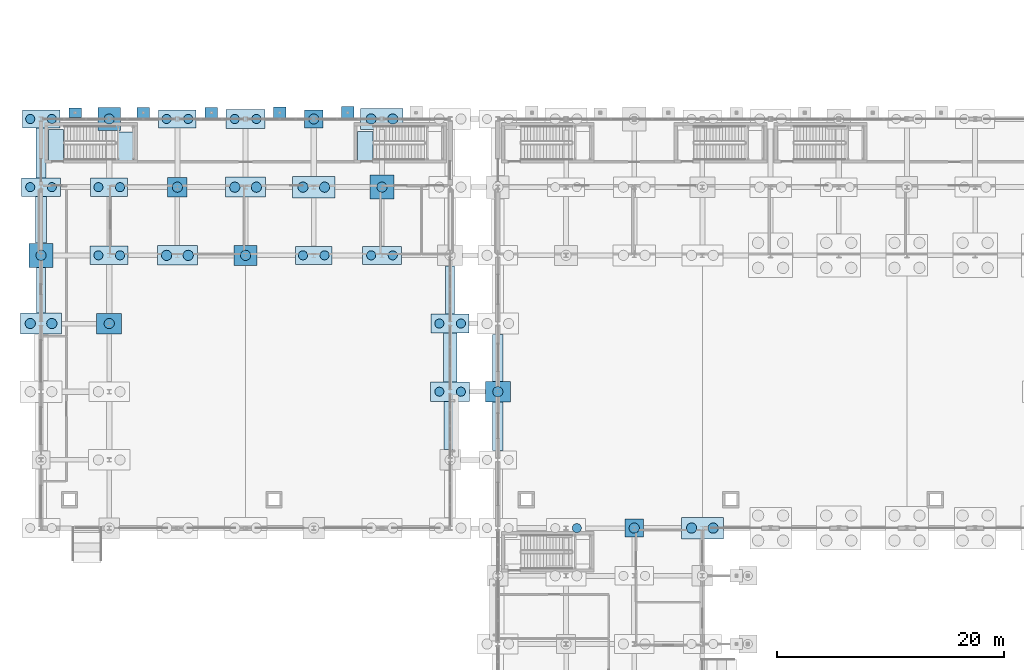
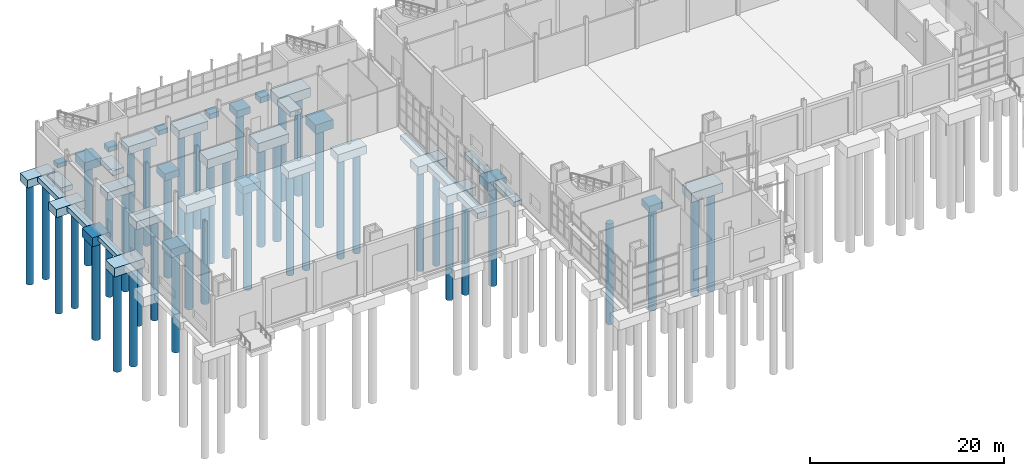
# One storey, part 2 of 120: 42 piles, 41 footings.
"""IFC4 building model written with IfcOpenShell, lengths in metres."""

from ifc_helpers import new_model, si_unit, direction, frame, origin, origin_2d, place, context, subcontext, project, spatial, rectangle, circle, extrude, material, material_profile, profile_set, type_object, element, save


model = new_model("IFC4")

# Units and contexts
model_context = context("Model", 3, precision=1e-05, world=origin(), true_north=direction((0.0, 1.0)))
body_context = subcontext(model_context, "Body", "Model", "MODEL_VIEW")
ifc_project = project(units=[si_unit("LENGTHUNIT", "METRE"), si_unit("AREAUNIT", "SQUARE_METRE"), si_unit("VOLUMEUNIT", "CUBIC_METRE"), si_unit("PLANEANGLEUNIT", "RADIAN"), si_unit("MASSUNIT", "GRAM", prefix="KILO")], contexts=[model_context])

# Site, building, storey
site_placement = place(None, origin())
site = spatial("IfcSite", under=ifc_project, at=site_placement, CompositionType="ELEMENT")
building_placement = place(site_placement, origin())
building = spatial("IfcBuilding", under=site, at=building_placement, Name="Siltcreek Boulevard Central Fire Station", CompositionType="ELEMENT")
storey_placement = place(building_placement, origin())
storey = spatial("IfcBuildingStorey", under=building, at=storey_placement, Name="L01", CompositionType="ELEMENT", Elevation=0.0)

# Footings
ifc_material = material(Name="Concrete C35/45", Category="concrete")
footing_type_1 = type_object("IfcFootingType", Name="PC_160X160X084", PredefinedType="PILE_CAP", material=ifc_material)
for number, where, z_axis, x_axis, name in (
    (1, (54.0, 18.0, -1.25), (0.0, 0.0, 1.0), (1.0, 0.0, 0.0), "Reinforced concrete pile cap PC-021"),
    (2, (25.800048828125, 54.0, -1.25), (0.0, 0.0, 1.0), (1.0, 0.0, 0.0), "Reinforced concrete pile cap PC-117"),
):
    element("IfcFooting", number, at=place(storey_placement, frame(where, z_axis=z_axis, x_axis=x_axis)), inside=storey, type_object=footing_type_1, Name=name, PredefinedType="PILE_CAP", context=body_context, shape_type="SweptSolid", body=[
        extrude(rectangle(XDim=1.60009765625, YDim=1.60009765625, at=origin_2d()), origin(), (0.0, 0.0, 1.0), 0.840087890625),
    ])
footing_type_2 = type_object("IfcFootingType", Name="PC_170X170X088", PredefinedType="PILE_CAP", material=ifc_material)
footing_1_placement = place(storey_placement, frame((13.800048828125, 48.0, -1.2900390625), z_axis=(0.0, 0.0, 1.0), x_axis=(1.0, 0.0, 0.0)))
element("IfcFooting", 3, at=footing_1_placement, inside=storey, type_object=footing_type_2, Name="Reinforced concrete pile cap PC-108", PredefinedType="PILE_CAP", context=body_context, shape_type="SweptSolid", body=[
    extrude(rectangle(XDim=1.699951171875, YDim=1.699951171875, at=origin_2d()), origin(), (0.0, 0.0, 1.0), 0.8798828125),
])
footing_type_3 = type_object("IfcFootingType", Name="PC_200X200X106", PredefinedType="PILE_CAP", material=ifc_material)
footing_2_placement = place(storey_placement, frame((7.800048828125, 54.0, -1.469970703125), z_axis=(0.0, 0.0, 1.0), x_axis=(1.0, 0.0, 0.0)))
element("IfcFooting", 4, at=footing_2_placement, inside=storey, type_object=footing_type_3, Name="Reinforced concrete pile cap PC-105", PredefinedType="PILE_CAP", context=body_context, shape_type="SweptSolid", body=[
    extrude(rectangle(XDim=2.0, YDim=2.0, at=origin_2d()), origin(), (0.0, 0.0, 1.0), 1.06005859375),
])
footing_type_4 = type_object("IfcFootingType", Name="PC_205X175X098", PredefinedType="PILE_CAP", material=ifc_material)
footing_3_placement = place(storey_placement, frame((19.800048828125, 42.0, -1.389892578125), z_axis=(0.0, 0.0, 1.0), x_axis=(1.0, 0.0, 0.0)))
element("IfcFooting", 5, at=footing_3_placement, inside=storey, type_object=footing_type_4, Name="Reinforced concrete pile cap PC-111", PredefinedType="PILE_CAP", context=body_context, shape_type="SweptSolid", body=[
    extrude(rectangle(XDim=2.050048828125, YDim=1.75, at=origin_2d()), origin(), (0.0, 0.0, 1.0), 0.97998046875),
])
footing_type_5 = type_object("IfcFootingType", Name="PC_210X210X112", PredefinedType="PILE_CAP", material=ifc_material)
for number, where, z_axis, x_axis, name in (
    (6, (1.800048828125, 42.0, -1.530029296875), (0.0, 0.0, 1.0), (1.0, 0.0, 0.0), "Reinforced concrete pile cap PC-096"),
    (7, (31.800048828125, 48.0, -1.530029296875), (0.0, 0.0, 1.0), (1.0, 0.0, 0.0), "Reinforced concrete pile cap PC-120"),
):
    element("IfcFooting", number, at=place(storey_placement, frame(where, z_axis=z_axis, x_axis=x_axis)), inside=storey, type_object=footing_type_5, Name=name, PredefinedType="PILE_CAP", context=body_context, shape_type="SweptSolid", body=[
        extrude(rectangle(XDim=2.10009765625, YDim=2.10009765625, at=origin_2d()), origin(), (0.0, 0.0, 1.0), 1.1201171875),
    ])
footing_type_6 = type_object("IfcFootingType", Name="PC_220X180X104", PredefinedType="PILE_CAP", material=ifc_material)
for number, where, z_axis, x_axis, name in (
    (8, (42.0, 30.0, -1.449951171875), (0.0, 0.0, 1.0), (1.0, 0.0, 0.0), "Reinforced concrete pile cap PC-006"),
    (9, (7.800048828125, 36.0, -1.449951171875), (0.0, 0.0, 1.0), (1.0, 0.0, 0.0), "Reinforced concrete pile cap PC-102"),
):
    element("IfcFooting", number, at=place(storey_placement, frame(where, z_axis=z_axis, x_axis=x_axis)), inside=storey, type_object=footing_type_6, Name=name, PredefinedType="PILE_CAP", context=body_context, shape_type="SweptSolid", body=[
        extrude(rectangle(XDim=2.199951171875, YDim=1.800048828125, at=origin_2d()), origin(), (0.0, 0.0, 1.0), 1.0400390625),
    ])
footing_type_7 = type_object("IfcFootingType", Name="PC_325X160X096", PredefinedType="PILE_CAP", material=ifc_material)
for number, where, z_axis, x_axis, name in (
    (10, (7.800048828125, 48.0, -1.369873046875), (0.0, 0.0, 1.0), (1.0, 0.0, 0.0), "Reinforced concrete pile cap PC-104"),
    (11, (25.800048828125, 42.0, -1.369873046875), (0.0, 0.0, 1.0), (1.0, 0.0, 0.0), "Reinforced concrete pile cap PC-115"),
):
    element("IfcFooting", number, at=place(storey_placement, frame(where, z_axis=z_axis, x_axis=x_axis)), inside=storey, type_object=footing_type_7, Name=name, PredefinedType="PILE_CAP", context=body_context, shape_type="SweptSolid", body=[
        extrude(rectangle(XDim=3.25, YDim=1.60009765625, at=origin_2d()), origin(), (0.0, 0.0, 1.0), 0.9599609375),
    ])
footing_type_8 = type_object("IfcFootingType", Name="PC_330X155X098", PredefinedType="PILE_CAP", material=ifc_material)
for number, where, z_axis, x_axis, name in (
    (12, (1.800048828125, 54.0, -1.389892578125), (0.0, 0.0, 1.0), (1.0, 0.0, 0.0), "Reinforced concrete pile cap PC-098"),
    (13, (13.800048828125, 54.0, -1.389892578125), (0.0, 0.0, 1.0), (1.0, 0.0, 0.0), "Reinforced concrete pile cap PC-109"),
):
    element("IfcFooting", number, at=place(storey_placement, frame(where, z_axis=z_axis, x_axis=x_axis)), inside=storey, type_object=footing_type_8, Name=name, PredefinedType="PILE_CAP", context=body_context, shape_type="SweptSolid", body=[
        extrude(rectangle(XDim=3.300048828125, YDim=1.550048828125, at=origin_2d()), origin(), (0.0, 0.0, 1.0), 0.97998046875),
    ])
footing_type_9 = type_object("IfcFootingType", Name="PC_335X165X100", PredefinedType="PILE_CAP", material=ifc_material)
for number, where, z_axis, x_axis, name in (
    (14, (7.800048828125, 42.0, -1.409912109375), (0.0, 0.0, 1.0), (1.0, 0.0, 0.0), "Reinforced concrete pile cap PC-103"),
    (15, (37.800048828125, 36.0, -1.409912109375), (0.0, 0.0, 1.0), (1.0, 0.0, 0.0), "Reinforced concrete pile cap PC-125"),
):
    element("IfcFooting", number, at=place(storey_placement, frame(where, z_axis=z_axis, x_axis=x_axis)), inside=storey, type_object=footing_type_9, Name=name, PredefinedType="PILE_CAP", context=body_context, shape_type="SweptSolid", body=[
        extrude(rectangle(XDim=3.35009765625, YDim=1.64990234375, at=origin_2d()), origin(), (0.0, 0.0, 1.0), 1.0),
    ])
footing_type_10 = type_object("IfcFootingType", Name="PC_340X160X102", PredefinedType="PILE_CAP", material=ifc_material)
for number, where, z_axis, x_axis, name in (
    (16, (1.800048828125, 48.0, -1.429931640625), (0.0, 0.0, 1.0), (1.0, 0.0, 0.0), "Reinforced concrete pile cap PC-097"),
    (17, (31.800048828125, 42.0, -1.429931640625), (0.0, 0.0, 1.0), (1.0, 0.0, 0.0), "Reinforced concrete pile cap PC-119"),
):
    element("IfcFooting", number, at=place(storey_placement, frame(where, z_axis=z_axis, x_axis=x_axis)), inside=storey, type_object=footing_type_10, Name=name, PredefinedType="PILE_CAP", context=body_context, shape_type="SweptSolid", body=[
        extrude(rectangle(XDim=3.39990234375, YDim=1.60009765625, at=origin_2d()), origin(), (0.0, 0.0, 1.0), 1.02001953125),
    ])
footing_type_11 = type_object("IfcFootingType", Name="PC_345X170X104", PredefinedType="PILE_CAP", material=ifc_material)
for number, where, z_axis, x_axis, name in (
    (18, (19.800048828125, 54.0, -1.449951171875), (0.0, 0.0, 1.0), (1.0, 0.0, 0.0), "Reinforced concrete pile cap PC-113"),
    (19, (37.800048828125, 30.0, -1.449951171875), (0.0, 0.0, 1.0), (1.0, 0.0, 0.0), "Reinforced concrete pile cap PC-124"),
):
    element("IfcFooting", number, at=place(storey_placement, frame(where, z_axis=z_axis, x_axis=x_axis)), inside=storey, type_object=footing_type_11, Name=name, PredefinedType="PILE_CAP", context=body_context, shape_type="SweptSolid", body=[
        extrude(rectangle(XDim=3.449951171875, YDim=1.699951171875, at=origin_2d()), origin(), (0.0, 0.0, 1.0), 1.0400390625),
    ])
footing_type_12 = type_object("IfcFootingType", Name="PC_350X170X106", PredefinedType="PILE_CAP", material=ifc_material)
footing_4_placement = place(storey_placement, frame((13.800048828125, 42.0, -1.469970703125), z_axis=(0.0, 0.0, 1.0), x_axis=(1.0, 0.0, 0.0)))
element("IfcFooting", 20, at=footing_4_placement, inside=storey, type_object=footing_type_12, Name="Reinforced concrete pile cap PC-107", PredefinedType="PILE_CAP", context=body_context, shape_type="SweptSolid", body=[
    extrude(rectangle(XDim=3.5, YDim=1.699951171875, at=origin_2d()), origin(), (0.0, 0.0, 1.0), 1.06005859375),
])
footing_type_13 = type_object("IfcFootingType", Name="PC_355X175X108", PredefinedType="PILE_CAP", material=ifc_material)
footing_5_placement = place(storey_placement, frame((19.800048828125, 48.0, -1.489990234375), z_axis=(0.0, 0.0, 1.0), x_axis=(1.0, 0.0, 0.0)))
element("IfcFooting", 21, at=footing_5_placement, inside=storey, type_object=footing_type_13, Name="Reinforced concrete pile cap PC-112", PredefinedType="PILE_CAP", context=body_context, shape_type="SweptSolid", body=[
    extrude(rectangle(XDim=3.550048828125, YDim=1.75, at=origin_2d()), origin(), (0.0, 0.0, 1.0), 1.080078125),
])
footing_type_14 = type_object("IfcFootingType", Name="PC_360X185X110", PredefinedType="PILE_CAP", material=ifc_material)
footing_6_placement = place(storey_placement, frame((1.800048828125, 36.0, -1.510009765625), z_axis=(0.0, 0.0, 1.0), x_axis=(1.0, 0.0, 0.0)))
element("IfcFooting", 22, at=footing_6_placement, inside=storey, type_object=footing_type_14, Name="Reinforced concrete pile cap PC-095", PredefinedType="PILE_CAP", context=body_context, shape_type="SweptSolid", body=[
    extrude(rectangle(XDim=3.60009765625, YDim=1.85009765625, at=origin_2d()), origin(), (0.0, 0.0, 1.0), 1.10009765625),
])
footing_type_15 = type_object("IfcFootingType", Name="PC_370X190X116", PredefinedType="PILE_CAP", material=ifc_material)
for number, where, z_axis, x_axis, name in (
    (23, (60.0, 18.0, -1.56982421875), (0.0, 0.0, 1.0), (1.0, 0.0, 0.0), "Reinforced concrete pile cap PC-028"),
    (24, (25.800048828125, 48.0, -1.56982421875), (0.0, 0.0, 1.0), (1.0, 0.0, 0.0), "Reinforced concrete pile cap PC-116"),
):
    element("IfcFooting", number, at=place(storey_placement, frame(where, z_axis=z_axis, x_axis=x_axis)), inside=storey, type_object=footing_type_15, Name=name, PredefinedType="PILE_CAP", context=body_context, shape_type="SweptSolid", body=[
        extrude(rectangle(XDim=3.699951171875, YDim=1.89990234375, at=origin_2d()), origin(), (0.0, 0.0, 1.0), 1.159912109375),
    ])
footing_type_16 = type_object("IfcFootingType", Name="PC_375X185X118", PredefinedType="PILE_CAP", material=ifc_material)
footing_7_placement = place(storey_placement, frame((31.800048828125, 54.0, -1.58984375), z_axis=(0.0, 0.0, 1.0), x_axis=(1.0, 0.0, 0.0)))
element("IfcFooting", 25, at=footing_7_placement, inside=storey, type_object=footing_type_16, Name="Reinforced concrete pile cap PC-121", PredefinedType="PILE_CAP", context=body_context, shape_type="SweptSolid", body=[
    extrude(rectangle(XDim=3.75, YDim=1.85009765625, at=origin_2d()), origin(), (0.0, 0.0, 1.0), 1.179931640625),
])

# Piles
ifc_material_profile_1 = material_profile(ifc_material, circle(Radius=0.39990234375, at=origin_2d()), Name="SHAFT800")
ifc_profile_set_1 = profile_set([ifc_material_profile_1], Name="Concrete C35/45")
pile_type_1 = type_object("IfcPileType", Name="PILE_D800", PredefinedType="BORED", material=ifc_profile_set_1)
pile_1_placement = place(storey_placement, frame((48.949951171875, 18.0, -1.35009765625), z_axis=(0.0, 0.0, -1.0), x_axis=(1.0, 0.0, 0.0)))
element("IfcPile", 26, at=pile_1_placement, inside=storey, type_object=pile_type_1, Name="Bored concrete pile 024 in Vashon till", PredefinedType="BORED", context=body_context, shape_type="SweptSolid", body=[
    extrude(circle(Radius=0.39990234375, at=origin_2d()), origin(), (0.0, 0.0, 1.0), 12.64990234375),
])
for number, where, z_axis, x_axis, name in (
    (27, (0.85009765625, 48.0, -1.330078125), (0.0, 0.0, -1.0), (1.0, 0.0, 0.0), "Bored concrete pile 190 in Vashon till"),
    (28, (2.75, 48.0, -1.330078125), (0.0, 0.0, -1.0), (1.0, 0.0, 0.0), "Bored concrete pile 191 in Vashon till"),
):
    element("IfcPile", number, at=place(storey_placement, frame(where, z_axis=z_axis, x_axis=x_axis)), inside=storey, type_object=pile_type_1, Name=name, PredefinedType="BORED", context=body_context, shape_type="SweptSolid", body=[
        extrude(circle(Radius=0.39990234375, at=origin_2d()), origin(), (0.0, 0.0, 1.0), 12.669921875),
    ])
for number, where, z_axis, x_axis, name in (
    (29, (0.85009765625, 54.0, -1.2900390625), (0.0, 0.0, -1.0), (1.0, 0.0, 0.0), "Bored concrete pile 192 in Vashon till"),
    (30, (2.75, 54.0, -1.2900390625), (0.0, 0.0, -1.0), (1.0, 0.0, 0.0), "Bored concrete pile 193 in Vashon till"),
):
    element("IfcPile", number, at=place(storey_placement, frame(where, z_axis=z_axis, x_axis=x_axis)), inside=storey, type_object=pile_type_1, Name=name, PredefinedType="BORED", context=body_context, shape_type="SweptSolid", body=[
        extrude(circle(Radius=0.39990234375, at=origin_2d()), origin(), (0.0, 0.0, 1.0), 12.7099609375),
    ])
for number, where, z_axis, x_axis, name in (
    (31, (6.85009765625, 42.0, -1.31005859375), (0.0, 0.0, -1.0), (1.0, 0.0, 0.0), "Bored concrete pile 200 in Vashon till"),
    (32, (8.75, 42.0, -1.31005859375), (0.0, 0.0, -1.0), (1.0, 0.0, 0.0), "Bored concrete pile 201 in Vashon till"),
):
    element("IfcPile", number, at=place(storey_placement, frame(where, z_axis=z_axis, x_axis=x_axis)), inside=storey, type_object=pile_type_1, Name=name, PredefinedType="BORED", context=body_context, shape_type="SweptSolid", body=[
        extrude(circle(Radius=0.39990234375, at=origin_2d()), origin(), (0.0, 0.0, 1.0), 12.68994140625),
    ])
for number, where, z_axis, x_axis, name in (
    (33, (6.85009765625, 48.0, -1.27001953125), (0.0, 0.0, -1.0), (1.0, 0.0, 0.0), "Bored concrete pile 202 in Vashon till"),
    (34, (8.75, 48.0, -1.27001953125), (0.0, 0.0, -1.0), (1.0, 0.0, 0.0), "Bored concrete pile 203 in Vashon till"),
):
    element("IfcPile", number, at=place(storey_placement, frame(where, z_axis=z_axis, x_axis=x_axis)), inside=storey, type_object=pile_type_1, Name=name, PredefinedType="BORED", context=body_context, shape_type="SweptSolid", body=[
        extrude(circle(Radius=0.39990234375, at=origin_2d()), origin(), (0.0, 0.0, 1.0), 12.72998046875),
    ])
for number, where, z_axis, x_axis, name in (
    (35, (12.85009765625, 54.0, -1.2900390625), (0.0, 0.0, -1.0), (1.0, 0.0, 0.0), "Bored concrete pile 210 in Vashon till"),
    (36, (14.75, 54.0, -1.2900390625), (0.0, 0.0, -1.0), (1.0, 0.0, 0.0), "Bored concrete pile 211 in Vashon till"),
):
    element("IfcPile", number, at=place(storey_placement, frame(where, z_axis=z_axis, x_axis=x_axis)), inside=storey, type_object=pile_type_1, Name=name, PredefinedType="BORED", context=body_context, shape_type="SweptSolid", body=[
        extrude(circle(Radius=0.39990234375, at=origin_2d()), origin(), (0.0, 0.0, 1.0), 12.7099609375),
    ])
for number, where, z_axis, x_axis, name in (
    (37, (18.85009765625, 54.0, -1.35009765625), (0.0, 0.0, -1.0), (1.0, 0.0, 0.0), "Bored concrete pile 217 in Vashon till"),
    (38, (20.75, 54.0, -1.35009765625), (0.0, 0.0, -1.0), (1.0, 0.0, 0.0), "Bored concrete pile 218 in Vashon till"),
):
    element("IfcPile", number, at=place(storey_placement, frame(where, z_axis=z_axis, x_axis=x_axis)), inside=storey, type_object=pile_type_1, Name=name, PredefinedType="BORED", context=body_context, shape_type="SweptSolid", body=[
        extrude(circle(Radius=0.39990234375, at=origin_2d()), origin(), (0.0, 0.0, 1.0), 12.64990234375),
    ])
for number, where, z_axis, x_axis, name in (
    (39, (24.85009765625, 42.0, -1.27001953125), (0.0, 0.0, -1.0), (1.0, 0.0, 0.0), "Bored concrete pile 220 in Vashon till"),
    (40, (26.75, 42.0, -1.27001953125), (0.0, 0.0, -1.0), (1.0, 0.0, 0.0), "Bored concrete pile 221 in Vashon till"),
):
    element("IfcPile", number, at=place(storey_placement, frame(where, z_axis=z_axis, x_axis=x_axis)), inside=storey, type_object=pile_type_1, Name=name, PredefinedType="BORED", context=body_context, shape_type="SweptSolid", body=[
        extrude(circle(Radius=0.39990234375, at=origin_2d()), origin(), (0.0, 0.0, 1.0), 12.72998046875),
    ])
for number, where, z_axis, x_axis, name in (
    (41, (30.85009765625, 42.0, -1.330078125), (0.0, 0.0, -1.0), (1.0, 0.0, 0.0), "Bored concrete pile 227 in Vashon till"),
    (42, (32.75, 42.0, -1.330078125), (0.0, 0.0, -1.0), (1.0, 0.0, 0.0), "Bored concrete pile 228 in Vashon till"),
):
    element("IfcPile", number, at=place(storey_placement, frame(where, z_axis=z_axis, x_axis=x_axis)), inside=storey, type_object=pile_type_1, Name=name, PredefinedType="BORED", context=body_context, shape_type="SweptSolid", body=[
        extrude(circle(Radius=0.39990234375, at=origin_2d()), origin(), (0.0, 0.0, 1.0), 12.669921875),
    ])
for number, where, z_axis, x_axis, name in (
    (43, (36.85009765625, 30.0, -1.35009765625), (0.0, 0.0, -1.0), (1.0, 0.0, 0.0), "Bored concrete pile 235 in Vashon till"),
    (44, (38.75, 30.0, -1.35009765625), (0.0, 0.0, -1.0), (1.0, 0.0, 0.0), "Bored concrete pile 236 in Vashon till"),
):
    element("IfcPile", number, at=place(storey_placement, frame(where, z_axis=z_axis, x_axis=x_axis)), inside=storey, type_object=pile_type_1, Name=name, PredefinedType="BORED", context=body_context, shape_type="SweptSolid", body=[
        extrude(circle(Radius=0.39990234375, at=origin_2d()), origin(), (0.0, 0.0, 1.0), 12.64990234375),
    ])
for number, where, z_axis, x_axis, name in (
    (45, (36.85009765625, 36.0, -1.31005859375), (0.0, 0.0, -1.0), (1.0, 0.0, 0.0), "Bored concrete pile 237 in Vashon till"),
    (46, (38.75, 36.0, -1.31005859375), (0.0, 0.0, -1.0), (1.0, 0.0, 0.0), "Bored concrete pile 238 in Vashon till"),
):
    element("IfcPile", number, at=place(storey_placement, frame(where, z_axis=z_axis, x_axis=x_axis)), inside=storey, type_object=pile_type_1, Name=name, PredefinedType="BORED", context=body_context, shape_type="SweptSolid", body=[
        extrude(circle(Radius=0.39990234375, at=origin_2d()), origin(), (0.0, 0.0, 1.0), 12.68994140625),
    ])
ifc_material_profile_2 = material_profile(ifc_material, circle(Radius=0.449951171875, at=origin_2d()), Name="SHAFT900")
ifc_profile_set_2 = profile_set([ifc_material_profile_2], Name="Concrete C35/45")
pile_type_2 = type_object("IfcPileType", Name="PILE_D900", PredefinedType="BORED", material=ifc_profile_set_2)
pile_2_placement = place(storey_placement, frame((42.0, 30.0, -1.35009765625), z_axis=(0.0, 0.0, -1.0), x_axis=(1.0, 0.0, 0.0)))
element("IfcPile", 47, at=pile_2_placement, inside=storey, type_object=pile_type_2, Name="Bored concrete pile 010 in Vashon till", PredefinedType="BORED", context=body_context, shape_type="SweptSolid", body=[
    extrude(circle(Radius=0.449951171875, at=origin_2d()), origin(), (0.0, 0.0, 1.0), 12.64990234375),
])
pile_3_placement = place(storey_placement, frame((54.0, 18.0, -1.14990234375), z_axis=(0.0, 0.0, -1.0), x_axis=(1.0, 0.0, 0.0)))
element("IfcPile", 48, at=pile_3_placement, inside=storey, type_object=pile_type_2, Name="Bored concrete pile 035 in Vashon till", PredefinedType="BORED", context=body_context, shape_type="SweptSolid", body=[
    extrude(circle(Radius=0.449951171875, at=origin_2d()), origin(), (0.0, 0.0, 1.0), 12.85009765625),
])
for number, where, z_axis, x_axis, name in (
    (49, (59.050048828125, 18.0, -1.469970703125), (0.0, 0.0, -1.0), (1.0, 0.0, 0.0), "Bored concrete pile 046 in Vashon till"),
    (50, (60.949951171875, 18.0, -1.469970703125), (0.0, 0.0, -1.0), (1.0, 0.0, 0.0), "Bored concrete pile 047 in Vashon till"),
):
    element("IfcPile", number, at=place(storey_placement, frame(where, z_axis=z_axis, x_axis=x_axis)), inside=storey, type_object=pile_type_2, Name=name, PredefinedType="BORED", context=body_context, shape_type="SweptSolid", body=[
        extrude(circle(Radius=0.449951171875, at=origin_2d()), origin(), (0.0, 0.0, 1.0), 12.530029296875),
    ])
for number, where, z_axis, x_axis, name in (
    (51, (0.85009765625, 36.0, -1.409912109375), (0.0, 0.0, -1.0), (1.0, 0.0, 0.0), "Bored concrete pile 187 in Vashon till"),
    (52, (2.75, 36.0, -1.409912109375), (0.0, 0.0, -1.0), (1.0, 0.0, 0.0), "Bored concrete pile 188 in Vashon till"),
):
    element("IfcPile", number, at=place(storey_placement, frame(where, z_axis=z_axis, x_axis=x_axis)), inside=storey, type_object=pile_type_2, Name=name, PredefinedType="BORED", context=body_context, shape_type="SweptSolid", body=[
        extrude(circle(Radius=0.449951171875, at=origin_2d()), origin(), (0.0, 0.0, 1.0), 12.590087890625),
    ])
pile_4_placement = place(storey_placement, frame((1.800048828125, 42.0, -1.429931640625), z_axis=(0.0, 0.0, -1.0), x_axis=(1.0, 0.0, 0.0)))
element("IfcPile", 53, at=pile_4_placement, inside=storey, type_object=pile_type_2, Name="Bored concrete pile 189 in Vashon till", PredefinedType="BORED", context=body_context, shape_type="SweptSolid", body=[
    extrude(circle(Radius=0.449951171875, at=origin_2d()), origin(), (0.0, 0.0, 1.0), 12.570068359375),
])
pile_5_placement = place(storey_placement, frame((7.800048828125, 36.0, -1.35009765625), z_axis=(0.0, 0.0, -1.0), x_axis=(1.0, 0.0, 0.0)))
element("IfcPile", 54, at=pile_5_placement, inside=storey, type_object=pile_type_2, Name="Bored concrete pile 199 in Vashon till", PredefinedType="BORED", context=body_context, shape_type="SweptSolid", body=[
    extrude(circle(Radius=0.449951171875, at=origin_2d()), origin(), (0.0, 0.0, 1.0), 12.64990234375),
])
for number, where, z_axis, x_axis, name in (
    (55, (7.800048828125, 54.0, -1.3701171875), (0.0, 0.0, -1.0), (1.0, 0.0, 0.0), "Bored concrete pile 204 in Vashon till"),
    (56, (12.85009765625, 42.0, -1.3701171875), (0.0, 0.0, -1.0), (1.0, 0.0, 0.0), "Bored concrete pile 207 in Vashon till"),
    (57, (14.75, 42.0, -1.3701171875), (0.0, 0.0, -1.0), (1.0, 0.0, 0.0), "Bored concrete pile 208 in Vashon till"),
):
    element("IfcPile", number, at=place(storey_placement, frame(where, z_axis=z_axis, x_axis=x_axis)), inside=storey, type_object=pile_type_2, Name=name, PredefinedType="BORED", context=body_context, shape_type="SweptSolid", body=[
        extrude(circle(Radius=0.449951171875, at=origin_2d()), origin(), (0.0, 0.0, 1.0), 12.6298828125),
    ])
pile_6_placement = place(storey_placement, frame((13.800048828125, 48.0, -1.18994140625), z_axis=(0.0, 0.0, -1.0), x_axis=(1.0, 0.0, 0.0)))
element("IfcPile", 58, at=pile_6_placement, inside=storey, type_object=pile_type_2, Name="Bored concrete pile 209 in Vashon till", PredefinedType="BORED", context=body_context, shape_type="SweptSolid", body=[
    extrude(circle(Radius=0.449951171875, at=origin_2d()), origin(), (0.0, 0.0, 1.0), 12.81005859375),
])
pile_7_placement = place(storey_placement, frame((19.800048828125, 42.0, -1.2900390625), z_axis=(0.0, 0.0, -1.0), x_axis=(1.0, 0.0, 0.0)))
element("IfcPile", 59, at=pile_7_placement, inside=storey, type_object=pile_type_2, Name="Bored concrete pile 214 in Vashon till", PredefinedType="BORED", context=body_context, shape_type="SweptSolid", body=[
    extrude(circle(Radius=0.449951171875, at=origin_2d()), origin(), (0.0, 0.0, 1.0), 12.7099609375),
])
for number, where, z_axis, x_axis, name in (
    (60, (18.85009765625, 48.0, -1.389892578125), (0.0, 0.0, -1.0), (1.0, 0.0, 0.0), "Bored concrete pile 215 in Vashon till"),
    (61, (20.75, 48.0, -1.389892578125), (0.0, 0.0, -1.0), (1.0, 0.0, 0.0), "Bored concrete pile 216 in Vashon till"),
):
    element("IfcPile", number, at=place(storey_placement, frame(where, z_axis=z_axis, x_axis=x_axis)), inside=storey, type_object=pile_type_2, Name=name, PredefinedType="BORED", context=body_context, shape_type="SweptSolid", body=[
        extrude(circle(Radius=0.449951171875, at=origin_2d()), origin(), (0.0, 0.0, 1.0), 12.610107421875),
    ])
for number, where, z_axis, x_axis, name in (
    (62, (24.85009765625, 48.0, -1.469970703125), (0.0, 0.0, -1.0), (1.0, 0.0, 0.0), "Bored concrete pile 222 in Vashon till"),
    (63, (26.75, 48.0, -1.469970703125), (0.0, 0.0, -1.0), (1.0, 0.0, 0.0), "Bored concrete pile 223 in Vashon till"),
):
    element("IfcPile", number, at=place(storey_placement, frame(where, z_axis=z_axis, x_axis=x_axis)), inside=storey, type_object=pile_type_2, Name=name, PredefinedType="BORED", context=body_context, shape_type="SweptSolid", body=[
        extrude(circle(Radius=0.449951171875, at=origin_2d()), origin(), (0.0, 0.0, 1.0), 12.530029296875),
    ])
pile_8_placement = place(storey_placement, frame((25.800048828125, 54.0, -1.14990234375), z_axis=(0.0, 0.0, -1.0), x_axis=(1.0, 0.0, 0.0)))
element("IfcPile", 64, at=pile_8_placement, inside=storey, type_object=pile_type_2, Name="Bored concrete pile 224 in Vashon till", PredefinedType="BORED", context=body_context, shape_type="SweptSolid", body=[
    extrude(circle(Radius=0.449951171875, at=origin_2d()), origin(), (0.0, 0.0, 1.0), 12.85009765625),
])
pile_9_placement = place(storey_placement, frame((31.800048828125, 48.0, -1.429931640625), z_axis=(0.0, 0.0, -1.0), x_axis=(1.0, 0.0, 0.0)))
element("IfcPile", 65, at=pile_9_placement, inside=storey, type_object=pile_type_2, Name="Bored concrete pile 229 in Vashon till", PredefinedType="BORED", context=body_context, shape_type="SweptSolid", body=[
    extrude(circle(Radius=0.449951171875, at=origin_2d()), origin(), (0.0, 0.0, 1.0), 12.570068359375),
])
for number, where, z_axis, x_axis, name in (
    (66, (30.85009765625, 54.0, -1.489990234375), (0.0, 0.0, -1.0), (1.0, 0.0, 0.0), "Bored concrete pile 230 in Vashon till"),
    (67, (32.75, 54.0, -1.489990234375), (0.0, 0.0, -1.0), (1.0, 0.0, 0.0), "Bored concrete pile 231 in Vashon till"),
):
    element("IfcPile", number, at=place(storey_placement, frame(where, z_axis=z_axis, x_axis=x_axis)), inside=storey, type_object=pile_type_2, Name=name, PredefinedType="BORED", context=body_context, shape_type="SweptSolid", body=[
        extrude(circle(Radius=0.449951171875, at=origin_2d()), origin(), (0.0, 0.0, 1.0), 12.510009765625),
    ])

# Footings
footing_type_17 = type_object("IfcFootingType", Name="SF_1000X650", PredefinedType="STRIP_FOOTING", material=ifc_material)
footing_8_placement = place(storey_placement, frame((22.800048828125, 54.550048828125, -1.0), z_axis=(0.0, 0.0, 1.0), x_axis=(1.0, 0.0, 0.0)))
element("IfcFooting", 68, at=footing_8_placement, inside=storey, type_object=footing_type_17, Name="Perimeter strip footing SF-13", PredefinedType="STRIP_FOOTING", context=body_context, shape_type="SweptSolid", body=[
    extrude(rectangle(XDim=1.10009765625, YDim=1.0, at=origin_2d()), origin(), (0.0, 0.0, 1.0), 0.64990234375),
])
footing_9_placement = place(storey_placement, frame((3.1201171875, 51.6826171875, -1.06005859375), z_axis=(0.0, 0.0, 1.0), x_axis=(1.0, 0.0, 0.0)))
element("IfcFooting", 69, at=footing_9_placement, inside=storey, type_object=footing_type_17, Name="Stair ST-V4A W foundation strip footing", PredefinedType="STRIP_FOOTING", context=body_context, shape_type="SweptSolid", body=[
    extrude(rectangle(XDim=1.35009765625, YDim=2.764892578125, at=origin_2d()), origin(), (0.0, 0.0, 1.0), 0.64990234375),
])
footing_10_placement = place(storey_placement, frame((9.260009765625, 51.570068359375, -1.06005859375), z_axis=(0.0, 0.0, 1.0), x_axis=(1.0, 0.0, 0.0)))
element("IfcFooting", 70, at=footing_10_placement, inside=storey, type_object=footing_type_17, Name="Stair ST-V4A E foundation strip footing", PredefinedType="STRIP_FOOTING", context=body_context, shape_type="SweptSolid", body=[
    extrude(rectangle(XDim=1.35009765625, YDim=2.5400390625, at=origin_2d()), origin(), (0.0, 0.0, 1.0), 0.64990234375),
])
footing_11_placement = place(storey_placement, frame((30.320068359375, 51.607421875, -1.06005859375), z_axis=(0.0, 0.0, 1.0), x_axis=(1.0, 0.0, 0.0)))
element("IfcFooting", 71, at=footing_11_placement, inside=storey, type_object=footing_type_17, Name="Stair ST-V4B W foundation strip footing", PredefinedType="STRIP_FOOTING", context=body_context, shape_type="SweptSolid", body=[
    extrude(rectangle(XDim=1.35009765625, YDim=2.614990234375, at=origin_2d()), origin(), (0.0, 0.0, 1.0), 0.64990234375),
])
footing_type_18 = type_object("IfcFootingType", Name="SF_1100X700", PredefinedType="STRIP_FOOTING", material=ifc_material)
footing_12_placement = place(storey_placement, frame((28.800048828125, 54.550048828125, -1.0498046875), z_axis=(0.0, 0.0, 1.0), x_axis=(1.0, 0.0, 0.0)))
element("IfcFooting", 72, at=footing_12_placement, inside=storey, type_object=footing_type_18, Name="Perimeter strip footing SF-14", PredefinedType="STRIP_FOOTING", context=body_context, shape_type="SweptSolid", body=[
    extrude(rectangle(XDim=1.10009765625, YDim=1.10009765625, at=origin_2d()), origin(), (0.0, 0.0, 1.0), 0.699951171875),
])
footing_13_placement = place(storey_placement, frame((37.800048828125, 27.02490234375, -1.10986328125), z_axis=(0.0, 0.0, 1.0), x_axis=(1.0, 0.0, 0.0)))
element("IfcFooting", 73, at=footing_13_placement, inside=storey, type_object=footing_type_18, Name="Perimeter strip footing SF-038", PredefinedType="STRIP_FOOTING", context=body_context, shape_type="SweptSolid", body=[
    extrude(rectangle(XDim=1.10009765625, YDim=4.2099609375, at=origin_2d()), origin(), (0.0, 0.0, 1.0), 0.699951171875),
])
footing_type_19 = type_object("IfcFootingType", Name="SF_1200X750", PredefinedType="STRIP_FOOTING", material=ifc_material)
footing_14_placement = place(storey_placement, frame((37.800048828125, 33.012451171875, -1.159912109375), z_axis=(0.0, 0.0, 1.0), x_axis=(1.0, 0.0, 0.0)))
element("IfcFooting", 74, at=footing_14_placement, inside=storey, type_object=footing_type_19, Name="Perimeter strip footing SF-039", PredefinedType="STRIP_FOOTING", context=body_context, shape_type="SweptSolid", body=[
    extrude(rectangle(XDim=1.199951171875, YDim=4.284912109375, at=origin_2d()), origin(), (0.0, 0.0, 1.0), 0.75),
])
footing_type_20 = type_object("IfcFootingType", Name="SF_800X550", PredefinedType="STRIP_FOOTING", material=ifc_material)
footing_15_placement = place(storey_placement, frame((4.800048828125, 54.550048828125, -0.89990234375), z_axis=(0.0, 0.0, 1.0), x_axis=(1.0, 0.0, 0.0)))
element("IfcFooting", 75, at=footing_15_placement, inside=storey, type_object=footing_type_20, Name="Perimeter strip footing SF-10", PredefinedType="STRIP_FOOTING", context=body_context, shape_type="SweptSolid", body=[
    extrude(rectangle(XDim=1.10009765625, YDim=0.800048828125, at=origin_2d()), origin(), (0.0, 0.0, 1.0), 0.550048828125),
])
footing_16_placement = place(storey_placement, frame((1.800048828125, 38.9375, -0.9599609375), z_axis=(0.0, 0.0, 1.0), x_axis=(1.0, 0.0, 0.0)))
element("IfcFooting", 76, at=footing_16_placement, inside=storey, type_object=footing_type_20, Name="Perimeter strip footing SF-034", PredefinedType="STRIP_FOOTING", context=body_context, shape_type="SweptSolid", body=[
    extrude(rectangle(XDim=0.800048828125, YDim=3.985107421875, at=origin_2d()), origin(), (0.0, 0.0, 1.0), 0.550048828125),
])
footing_17_placement = place(storey_placement, frame((37.800048828125, 38.96240234375, -0.9599609375), z_axis=(0.0, 0.0, 1.0), x_axis=(1.0, 0.0, 0.0)))
element("IfcFooting", 77, at=footing_17_placement, inside=storey, type_object=footing_type_20, Name="Perimeter strip footing SF-040", PredefinedType="STRIP_FOOTING", context=body_context, shape_type="SweptSolid", body=[
    extrude(rectangle(XDim=0.800048828125, YDim=4.235107421875, at=origin_2d()), origin(), (0.0, 0.0, 1.0), 0.550048828125),
])
footing_type_21 = type_object("IfcFootingType", Name="SF_900X600", PredefinedType="STRIP_FOOTING", material=ifc_material)
footing_18_placement = place(storey_placement, frame((16.800048828125, 54.550048828125, -0.949951171875), z_axis=(0.0, 0.0, 1.0), x_axis=(1.0, 0.0, 0.0)))
element("IfcFooting", 78, at=footing_18_placement, inside=storey, type_object=footing_type_21, Name="Perimeter strip footing SF-12", PredefinedType="STRIP_FOOTING", context=body_context, shape_type="SweptSolid", body=[
    extrude(rectangle(XDim=1.10009765625, YDim=0.89990234375, at=origin_2d()), origin(), (0.0, 0.0, 1.0), 0.60009765625),
])
footing_19_placement = place(storey_placement, frame((1.800048828125, 51.012451171875, -1.010009765625), z_axis=(0.0, 0.0, 1.0), x_axis=(1.0, 0.0, 0.0)))
element("IfcFooting", 79, at=footing_19_placement, inside=storey, type_object=footing_type_21, Name="Perimeter strip footing SF-036", PredefinedType="STRIP_FOOTING", context=body_context, shape_type="SweptSolid", body=[
    extrude(rectangle(XDim=0.89990234375, YDim=4.385009765625, at=origin_2d()), origin(), (0.0, 0.0, 1.0), 0.60009765625),
])
footing_20_placement = place(storey_placement, frame((42.0, 32.987548828125, -1.010009765625), z_axis=(0.0, 0.0, 1.0), x_axis=(1.0, 0.0, 0.0)))
element("IfcFooting", 80, at=footing_20_placement, inside=storey, type_object=footing_type_21, Name="Perimeter strip footing SF-048", PredefinedType="STRIP_FOOTING", context=body_context, shape_type="SweptSolid", body=[
    extrude(rectangle(XDim=0.89990234375, YDim=4.135009765625, at=origin_2d()), origin(), (0.0, 0.0, 1.0), 0.60009765625),
])
footing_type_22 = type_object("IfcFootingType", Name="SF_950X620", PredefinedType="STRIP_FOOTING", material=ifc_material)
footing_21_placement = place(storey_placement, frame((10.800048828125, 54.550048828125, -0.969970703125), z_axis=(0.0, 0.0, 1.0), x_axis=(1.0, 0.0, 0.0)))
element("IfcFooting", 81, at=footing_21_placement, inside=storey, type_object=footing_type_22, Name="Perimeter strip footing SF-11", PredefinedType="STRIP_FOOTING", context=body_context, shape_type="SweptSolid", body=[
    extrude(rectangle(XDim=1.10009765625, YDim=0.949951171875, at=origin_2d()), origin(), (0.0, 0.0, 1.0), 0.6201171875),
])
footing_22_placement = place(storey_placement, frame((1.800048828125, 45.125, -1.030029296875), z_axis=(0.0, 0.0, 1.0), x_axis=(1.0, 0.0, 0.0)))
element("IfcFooting", 82, at=footing_22_placement, inside=storey, type_object=footing_type_22, Name="Perimeter strip footing SF-035", PredefinedType="STRIP_FOOTING", context=body_context, shape_type="SweptSolid", body=[
    extrude(rectangle(XDim=0.949951171875, YDim=4.110107421875, at=origin_2d()), origin(), (0.0, 0.0, 1.0), 0.6201171875),
])
footing_23_placement = place(storey_placement, frame((42.0, 26.949951171875, -1.030029296875), z_axis=(0.0, 0.0, 1.0), x_axis=(1.0, 0.0, 0.0)))
element("IfcFooting", 83, at=footing_23_placement, inside=storey, type_object=footing_type_22, Name="Perimeter strip footing SF-047", PredefinedType="STRIP_FOOTING", context=body_context, shape_type="SweptSolid", body=[
    extrude(rectangle(XDim=0.949951171875, YDim=4.260009765625, at=origin_2d()), origin(), (0.0, 0.0, 1.0), 0.6201171875),
])

save(model, "model.ifc")
